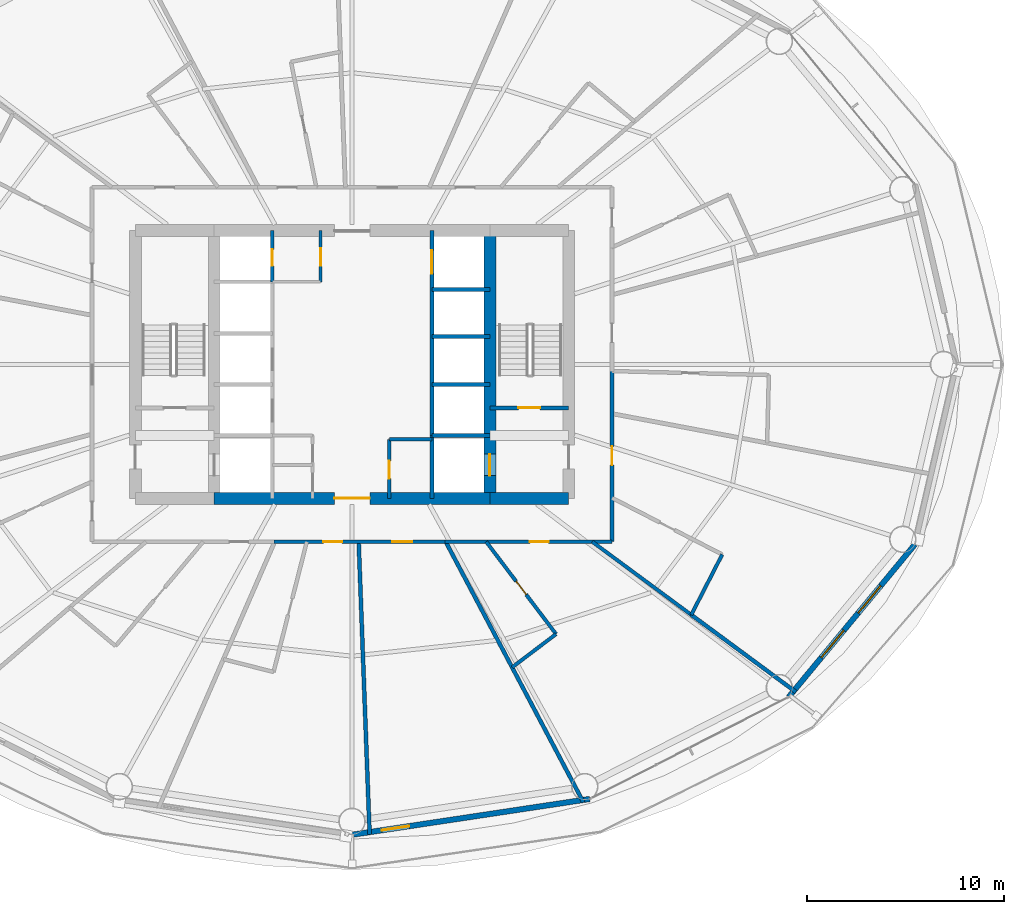
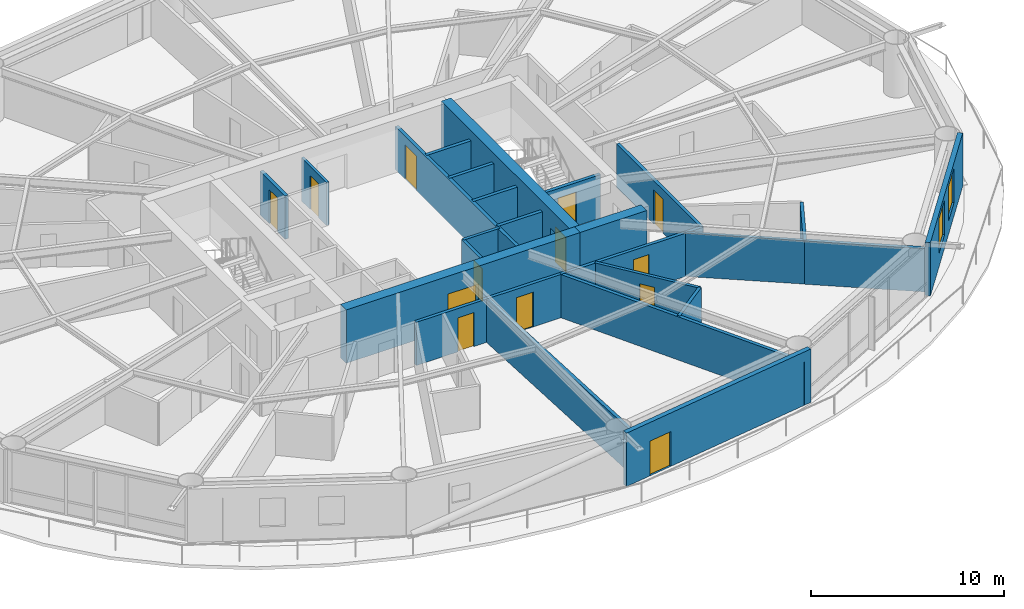
# One storey, part 21 of 26: 26 walls, 13 doors, 2 windows, 15 openings.
"""IFC4 building model written with IfcOpenShell, lengths in metres."""

import ifcopenshell
import ifcopenshell.guid

model = None  # the IFC model being written
_history = None  # IfcOwnerHistory: only IFC2X3 demands one
_inside = {}  # id of a spatial element -> (the spatial element, [elements in it])
_under = {}  # id of a project, library or spatial element -> (it, [spatial elements below it])
_declared = {}  # id of a project -> (the project, [libraries it declares])
_typed = {}  # id of a type object -> (the type object, [elements of that type])
_made_of = {}  # id of a material, layer set ... -> (it, [elements and type objects made of it])


def new_model(schema):
    """Start an empty IFC model of exactly this schema.

    Asked for "IFC4X3", IfcOpenShell would pick the latest addendum, in which some entities
    have other attributes; the version numbers below select the first issue.
    IFC2X3 requires an IfcOwnerHistory on every rooted entity: one is made here for all.
    """
    global model, _history
    if schema == "IFC4X3":
        model = ifcopenshell.file(schema_version=(4, 3, 0, 0))
    else:
        model = ifcopenshell.file(schema=schema)
    _inside.clear()
    _under.clear()
    _declared.clear()
    _typed.clear()
    _made_of.clear()
    _history = None
    if model.schema == "IFC2X3":
        org = make("IfcOrganization", Name="unknown")
        user = make(
            "IfcPersonAndOrganization",
            ThePerson=make("IfcPerson", FamilyName="unknown"),
            TheOrganization=org,
        )
        app = make(
            "IfcApplication",
            ApplicationDeveloper=org,
            Version="unknown",
            ApplicationFullName="unknown",
            ApplicationIdentifier="unknown",
        )
        _history = make(
            "IfcOwnerHistory",
            OwningUser=user,
            OwningApplication=app,
            ChangeAction="ADDED",
            CreationDate=0,
        )
    return model


def make(cls, **values):
    """One entity of the class cls with the attributes given. An attribute that is None is left unset."""
    return model.create_entity(
        cls, **{name: value for name, value in values.items() if value is not None}
    )


def rooted(cls, **values):
    """An entity with a GlobalId (a new one), such as an element, a storey or a relation."""
    return make(cls, GlobalId=ifcopenshell.guid.new(), OwnerHistory=_history, **values)


def si_unit(unit_type, name, prefix=None):
    """IfcSIUnit, for example si_unit("LENGTHUNIT", "METRE", prefix="MILLI")."""
    return make("IfcSIUnit", UnitType=unit_type, Prefix=prefix, Name=name)


def assignment(units):
    """IfcUnitAssignment: the units of a project."""
    return None if units is None else make("IfcUnitAssignment", Units=units)


def point(xyz):
    """IfcCartesianPoint."""
    return None if xyz is None else make("IfcCartesianPoint", Coordinates=xyz)


def direction(xyz):
    """IfcDirection."""
    return None if xyz is None else make("IfcDirection", DirectionRatios=xyz)


def frame(location, z_axis=None, x_axis=None):
    """IfcAxis2Placement3D, a coordinate frame: its origin and axes. An axis left out is left unset."""
    return make(
        "IfcAxis2Placement3D",
        Location=point(location),
        Axis=direction(z_axis),
        RefDirection=direction(x_axis),
    )


def frame_2d(location, x_axis=None):
    """IfcAxis2Placement2D, a coordinate frame in the plane: its origin and x axis."""
    return make(
        "IfcAxis2Placement2D", Location=point(location), RefDirection=direction(x_axis)
    )


def origin():
    """The frame at (0, 0, 0) with its axes left unset."""
    return frame((0.0, 0.0, 0.0))


def place(relative_to, where):
    """IfcLocalPlacement: puts the frame where relative to a parent placement (None: the world)."""
    return make(
        "IfcLocalPlacement", PlacementRelTo=relative_to, RelativePlacement=where
    )


def context(
    kind, dimensions, precision=None, world=None, true_north=None, identifier=None
):
    """IfcGeometricRepresentationContext, for example the 3D "Model" context."""
    return make(
        "IfcGeometricRepresentationContext",
        ContextIdentifier=identifier,
        ContextType=kind,
        CoordinateSpaceDimension=dimensions,
        Precision=precision,
        WorldCoordinateSystem=world,
        TrueNorth=true_north,
    )


def subcontext(parent, identifier, kind, view, scale=None):
    """IfcGeometricRepresentationSubContext, for example "Body" below "Model"."""
    return make(
        "IfcGeometricRepresentationSubContext",
        ContextIdentifier=identifier,
        ContextType=kind,
        ParentContext=parent,
        TargetScale=scale,
        TargetView=view,
    )


def project(units=None, contexts=None):
    """IfcProject with its units and contexts."""
    return rooted(
        "IfcProject",
        Name="project",
        RepresentationContexts=contexts,
        UnitsInContext=assignment(units),
    )


def spatial(cls, under=None, at=None, **own):
    """A site, building, storey or space (cls), placed at a placement, below another one or the project."""
    s = rooted(cls, ObjectPlacement=at, **own)
    if under is not None:
        _under.setdefault(under.id(), (under, []))[1].append(s)
    return s


def profile(cls, at=None, kind="AREA", **sizes):
    """A parametric profile (cls). Its sizes go by their IFC names, for example OverallWidth=200.0."""
    return make(cls, ProfileType=kind, Position=at, **sizes)


def rectangle(**sizes):
    """IfcRectangleProfileDef."""
    return profile("IfcRectangleProfileDef", **sizes)


def extrude(swept, where, along, depth):
    """IfcExtrudedAreaSolid: the profile swept, set in the frame where, extruded along a direction by depth."""
    return make(
        "IfcExtrudedAreaSolid",
        SweptArea=swept,
        Position=where,
        ExtrudedDirection=direction(along),
        Depth=depth,
    )


def shape(context_of_items, identifier, shape_type, items):
    """IfcShapeRepresentation: the items that make up one representation, for example the "Body"."""
    return make(
        "IfcShapeRepresentation",
        ContextOfItems=context_of_items,
        RepresentationIdentifier=identifier,
        RepresentationType=shape_type,
        Items=items,
    )


def material(Name=None, Category=None):
    """IfcMaterial."""
    return make("IfcMaterial", Name=Name, Category=Category)


def layer(
    of_material, thickness, ventilated=None, Name=None, Category=None, Priority=None
):
    """IfcMaterialLayer: one layer of a wall or slab, of a material (None: an air gap)."""
    return make(
        "IfcMaterialLayer",
        Material=of_material,
        LayerThickness=thickness,
        IsVentilated=ventilated,
        Name=Name,
        Category=Category,
        Priority=Priority,
    )


def layer_set(layers, Name=None):
    """IfcMaterialLayerSet."""
    return make("IfcMaterialLayerSet", MaterialLayers=layers, LayerSetName=Name)


def made_of(thing, what):
    """Note that an element or type object is made of a material, layer set ...; save() writes the relation."""
    if what is not None:
        _made_of.setdefault(what.id(), (what, []))[1].append(thing)
    return thing


def type_object(cls, material=None, **own):
    """A type object (cls), such as IfcWallType, which elements share."""
    return made_of(rooted(cls, **own), material)


def element(
    cls,
    number,
    at=None,
    inside=None,
    cuts=None,
    type_object=None,
    material=None,
    context=None,
    identifier="Body",
    shape_type=None,
    held_by="IfcProductDefinitionShape",
    body=None,
    shapes=None,
    **own,
):
    """One element of the class cls, such as IfcWall. Its Tag is "e" and its number.

    at: its placement. inside: the storey or other place that contains it. cuts: it is an
    opening in that element (IfcRelVoidsElement). A single representation is given by context,
    identifier, shape_type and body (its items); several are given by shapes. held_by: the class
    of the entity that holds the representations. save() writes the other relations.
    """
    e = rooted(cls, Tag="e%d" % number, ObjectPlacement=at, **own)
    if body is not None:
        shapes = [shape(context, identifier, shape_type, body)]
    if shapes is not None:
        e.Representation = make(held_by, Representations=shapes)
    if inside is not None:
        _inside.setdefault(inside.id(), (inside, []))[1].append(e)
    if cuts is not None:
        rooted(
            "IfcRelVoidsElement", RelatingBuildingElement=cuts, RelatedOpeningElement=e
        )
    if type_object is not None:
        _typed.setdefault(type_object.id(), (type_object, []))[1].append(e)
    return made_of(e, material)


def fill(opening, filler):
    """IfcRelFillsElement: the door or window that sits in an opening."""
    return rooted(
        "IfcRelFillsElement",
        RelatingOpeningElement=opening,
        RelatedBuildingElement=filler,
    )


def aggregate(whole, parts):
    """IfcRelAggregates: a whole, such as a stair, and the parts it consists of."""
    return rooted("IfcRelAggregates", RelatingObject=whole, RelatedObjects=parts)


def save(model, path):
    """Write the relations noted so far, then the file.

    IfcRelAggregates (storeys below a building ...), IfcRelContainedInSpatialStructure (elements
    in a storey), IfcRelDefinesByType, IfcRelAssociatesMaterial and IfcRelDeclares: one each for
    every whole, place, type object, material and project.
    """
    for whole, parts in _under.values():
        aggregate(whole, parts)
    for where, things in _inside.values():
        rooted(
            "IfcRelContainedInSpatialStructure",
            RelatedElements=things,
            RelatingStructure=where,
        )
    for kind, things in _typed.values():
        rooted("IfcRelDefinesByType", RelatedObjects=things, RelatingType=kind)
    for what, things in _made_of.values():
        rooted("IfcRelAssociatesMaterial", RelatedObjects=things, RelatingMaterial=what)
    for by, libraries in _declared.values():
        rooted("IfcRelDeclares", RelatingContext=by, RelatedDefinitions=libraries)
    model.write(path)


model = new_model("IFC4")

# Units and contexts
model_context = context("Model", 3, precision=1e-05, world=origin(), true_north=direction((0.0, 1.0)))
body_context = subcontext(model_context, "Body", "Model", "MODEL_VIEW")
ifc_project = project(units=[si_unit("LENGTHUNIT", "METRE"), si_unit("AREAUNIT", "SQUARE_METRE"), si_unit("VOLUMEUNIT", "CUBIC_METRE"), si_unit("PLANEANGLEUNIT", "RADIAN"), si_unit("MASSUNIT", "GRAM", prefix="KILO")], contexts=[model_context])

# Site, building, storey
site_placement = place(None, origin())
site = spatial("IfcSite", under=ifc_project, at=site_placement, CompositionType="ELEMENT")
building_placement = place(site_placement, origin())
building = spatial("IfcBuilding", under=site, at=building_placement, Name="Sarneth Arch Tower", CompositionType="ELEMENT")
storey_placement = place(building_placement, frame((0.0, 0.0, 46.199951171875)))
storey = spatial("IfcBuildingStorey", under=building, at=storey_placement, Name="L10", CompositionType="ELEMENT", Elevation=46.199951171875)

# Wall, opening, door
ifc_material_1 = material(Name="Concrete C60/75", Category="concrete")
ifc_layer_1 = layer(ifc_material_1, 0.60009765625)
ifc_layer_set_1 = layer_set([ifc_layer_1], Name="Concrete C60/75")
wall_type_1 = type_object("IfcWallType", Name="WALL-CORE-600", PredefinedType="SHEAR", material=ifc_layer_set_1)
wall_1_placement = place(storey_placement, frame((41.0, 35.199951171875, 0.0), z_axis=(0.0, 0.0, 1.0), x_axis=(1.0, 0.0, 0.0)))
wall_1 = element("IfcWall", 1, at=wall_1_placement, inside=storey, type_object=wall_type_1, Name="L10 Core shear wall S-M", PredefinedType="SHEAR", context=body_context, shape_type="SweptSolid", body=[
    extrude(rectangle(XDim=14.0, YDim=0.60009765625, at=frame_2d((7.0, 0.0))), origin(), (0.0, 0.0, 1.0), 3.380126953125),
])
opening_1_placement = place(wall_1_placement, frame((6.10009765625, 0.0, 0.0)))
opening_1 = element("IfcOpeningElement", 2, at=opening_1_placement, cuts=wall_1, Name="Opening FD-01", PredefinedType="OPENING", context=body_context, shape_type="SweptSolid", body=[
    extrude(rectangle(XDim=1.800048828125, YDim=2.25, at=frame_2d((0.89990234375, 1.125))), frame((0.0, 0.31005859375, 0.0), z_axis=(0.0, -1.0, 0.0), x_axis=(1.0, 0.0, 0.0)), (0.0, 0.0, 1.0), 0.6201171875),
])
ifc_material_2 = material(Name="Galvanised Steel S275 fire door set", Category="steel")
door_type_1 = type_object("IfcDoorType", Name="DR-FD90-1800", OperationType="DOUBLE_DOOR_SINGLE_SWING", PredefinedType="DOOR", material=ifc_material_2)
door_1_placement = place(opening_1_placement, origin())
door_1 = element("IfcDoor", 3, at=door_1_placement, inside=storey, type_object=door_type_1, Name="L10 Central lift lobby south door", OperationType="DOUBLE_DOOR_SINGLE_SWING", OverallHeight=2.25, OverallWidth=1.800048828125, PredefinedType="DOOR", context=body_context, shape_type="SweptSolid", body=[
    extrude(rectangle(XDim=1.800048828125, YDim=2.25, at=frame_2d((0.89990234375, 1.125))), frame((0.0, 0.02490234375, 0.0), z_axis=(0.0, -1.0, 0.0), x_axis=(1.0, 0.0, 0.0)), (0.0, 0.0, 1.0), 0.050048828125),
])
fill(opening_1, door_1)

# Wall
wall_2_placement = place(storey_placement, frame((55.0, 35.199951171875, 0.0), z_axis=(0.0, 0.0, 1.0), x_axis=(1.0, 0.0, 0.0)))
element("IfcWall", 4, at=wall_2_placement, inside=storey, type_object=wall_type_1, Name="L10 Core shear wall S-E", PredefinedType="SHEAR", context=body_context, shape_type="SweptSolid", body=[
    extrude(rectangle(XDim=4.0, YDim=0.60009765625, at=frame_2d((2.0, 0.0))), origin(), (0.0, 0.0, 1.0), 3.380126953125),
])

# Wall, opening, door
wall_3_placement = place(storey_placement, frame((55.0, 35.199951171875, 0.0), z_axis=(0.0, 0.0, 1.0), x_axis=(0.0, 1.0, 0.0)))
wall_3 = element("IfcWall", 5, at=wall_3_placement, inside=storey, type_object=wall_type_1, Name="L10 Core shear wall WEB-E", PredefinedType="SHEAR", context=body_context, shape_type="SweptSolid", body=[
    extrude(rectangle(XDim=13.60009765625, YDim=0.60009765625, at=frame_2d((6.800048828125, 0.0))), origin(), (0.0, 0.0, 1.0), 3.380126953125),
])
opening_2_placement = place(wall_3_placement, frame((1.14990234375, 0.0, 0.0)))
opening_2 = element("IfcOpeningElement", 6, at=opening_2_placement, cuts=wall_3, Name="Opening LD-1", PredefinedType="OPENING", context=body_context, shape_type="SweptSolid", body=[
    extrude(rectangle(XDim=1.10009765625, YDim=2.199951171875, at=frame_2d((0.550048828125, 1.10009765625))), frame((0.0, 0.31005859375, 0.0), z_axis=(0.0, -1.0, 0.0), x_axis=(1.0, 0.0, 0.0)), (0.0, 0.0, 1.0), 0.6201171875),
])
ifc_material_3 = material(Name="Brushed Stainless Steel 304 lift landing door", Category="steel")
door_type_2 = type_object("IfcDoorType", Name="DR-LIFT-SLIDE-1100", OperationType="SLIDING_TO_LEFT", PredefinedType="DOOR", material=ifc_material_3)
door_2_placement = place(opening_2_placement, origin())
door_2 = element("IfcDoor", 7, at=door_2_placement, inside=storey, type_object=door_type_2, Name="L10 Firefighting lift landing door FL-2", OperationType="SLIDING_TO_RIGHT", OverallHeight=2.199951171875, OverallWidth=1.10009765625, PredefinedType="DOOR", context=body_context, shape_type="SweptSolid", body=[
    extrude(rectangle(XDim=1.10009765625, YDim=2.199951171875, at=frame_2d((0.550048828125, 1.10009765625))), frame((0.0, 0.02490234375, 0.0), z_axis=(0.0, -1.0, 0.0), x_axis=(1.0, 0.0, 0.0)), (0.0, 0.0, 1.0), 0.050048828125),
])
fill(opening_2, door_2)

ifc_material_4 = material(Name="Double steel-stud corridor fire wall", Category="steel")
ifc_layer_2 = layer(ifc_material_4, 0.18994140625)
ifc_layer_set_2 = layer_set([ifc_layer_2], Name="Double steel-stud corridor fire wall")
wall_type_2 = type_object("IfcWallType", Name="WALL-CORR-190", PredefinedType="PARTITIONING", material=ifc_layer_set_2)
wall_4_placement = place(storey_placement, frame((61.199951171875, 33.0, 0.0), z_axis=(0.0, 0.0, 1.0), x_axis=(-1.0, 0.0, 0.0)))
wall_4 = element("IfcWall", 8, at=wall_4_placement, inside=storey, type_object=wall_type_2, Name="L10 Interior partition W-L10-TP-023", PredefinedType="PARTITIONING", context=body_context, shape_type="SweptSolid", body=[
    extrude(rectangle(XDim=8.4794921875, YDim=0.18994140625, at=frame_2d((4.23974609375, 0.0))), origin(), (0.0, 0.0, 1.0), 2.739990234375),
])
opening_3_placement = place(wall_4_placement, frame((3.2158203125, 0.0, 0.0)))
opening_3 = element("IfcOpeningElement", 9, at=opening_3_placement, cuts=wall_4, Name="Opening FD-09", PredefinedType="OPENING", context=body_context, shape_type="SweptSolid", body=[
    extrude(rectangle(XDim=0.949951171875, YDim=2.14990234375, at=frame_2d((0.47509765625, 1.074951171875))), frame((0.0, 0.10498046875, 0.0), z_axis=(0.0, -1.0, 0.0), x_axis=(1.0, 0.0, 0.0)), (0.0, 0.0, 1.0), 0.2099609375),
])
ifc_material_5 = material(Name="Hardwood timber hotel entrance fire door", Category="wood")
door_type_3 = type_object("IfcDoorType", Name="DR-FD60-950", OperationType="SINGLE_SWING_RIGHT", PredefinedType="DOOR", material=ifc_material_5)
door_3_placement = place(opening_3_placement, origin())
door_3 = element("IfcDoor", 10, at=door_3_placement, inside=storey, type_object=door_type_3, Name="L10 Interior door DR-L10-KEY-12", OperationType="SINGLE_SWING_LEFT", OverallHeight=2.14990234375, OverallWidth=0.949951171875, PredefinedType="DOOR", context=body_context, shape_type="SweptSolid", body=[
    extrude(rectangle(XDim=0.949951171875, YDim=2.14990234375, at=frame_2d((0.47509765625, 1.074951171875))), frame((0.0, 0.02490234375, 0.0), z_axis=(0.0, -1.0, 0.0), x_axis=(1.0, 0.0, 0.0)), (0.0, 0.0, 1.0), 0.050048828125),
])
fill(opening_3, door_3)

# Wall, openings, doors
wall_5_placement = place(storey_placement, frame((52.792724609375, 33.0, 0.0), z_axis=(0.0, 0.0, 1.0), x_axis=(-1.0, 0.0, 0.0)))
wall_5 = element("IfcWall", 11, at=wall_5_placement, inside=storey, type_object=wall_type_2, Name="L10 Interior partition W-L10-TP-022", PredefinedType="PARTITIONING", context=body_context, shape_type="SweptSolid", body=[
    extrude(rectangle(XDim=8.75439453125, YDim=0.18994140625, at=frame_2d((4.377197265625, 0.0))), origin(), (0.0, 0.0, 1.0), 2.739990234375),
])
opening_4_placement = place(wall_5_placement, frame((1.743896484375, 0.0, 0.0)))
opening_4 = element("IfcOpeningElement", 12, at=opening_4_placement, cuts=wall_5, Name="Opening FD-08", PredefinedType="OPENING", context=body_context, shape_type="SweptSolid", body=[
    extrude(rectangle(XDim=1.0, YDim=2.199951171875, at=frame_2d((0.5, 1.10009765625))), frame((0.0, 0.10498046875, 0.0), z_axis=(0.0, -1.0, 0.0), x_axis=(1.0, 0.0, 0.0)), (0.0, 0.0, 1.0), 0.2099609375),
])
opening_5_placement = place(wall_5_placement, frame((5.298095703125, 0.0, 0.0)))
opening_5 = element("IfcOpeningElement", 13, at=opening_5_placement, cuts=wall_5, Name="Opening FD-09", PredefinedType="OPENING", context=body_context, shape_type="SweptSolid", body=[
    extrude(rectangle(XDim=0.949951171875, YDim=2.14990234375, at=frame_2d((0.47509765625, 1.074951171875))), frame((0.0, 0.10498046875, 0.0), z_axis=(0.0, -1.0, 0.0), x_axis=(1.0, 0.0, 0.0)), (0.0, 0.0, 1.0), 0.2099609375),
])
ifc_material_6 = material(Name="Hardwood timber acoustic fire door", Category="wood")
door_type_4 = type_object("IfcDoorType", Name="DR-FD60-1000", OperationType="SINGLE_SWING_LEFT", PredefinedType="DOOR", material=ifc_material_6)
door_4_placement = place(opening_4_placement, origin())
door_4 = element("IfcDoor", 14, at=door_4_placement, inside=storey, type_object=door_type_4, Name="L10 Interior door DR-L10-AMN-11", OperationType="SINGLE_SWING_RIGHT", OverallHeight=2.199951171875, OverallWidth=1.0, PredefinedType="DOOR", context=body_context, shape_type="SweptSolid", body=[
    extrude(rectangle(XDim=1.0, YDim=2.199951171875, at=frame_2d((0.5, 1.10009765625))), frame((0.0, 0.02490234375, 0.0), z_axis=(0.0, -1.0, 0.0), x_axis=(1.0, 0.0, 0.0)), (0.0, 0.0, 1.0), 0.050048828125),
])
fill(opening_4, door_4)
door_5_placement = place(opening_5_placement, origin())
door_5 = element("IfcDoor", 15, at=door_5_placement, inside=storey, type_object=door_type_3, Name="L10 Interior door DR-L10-KEY-10", OperationType="SINGLE_SWING_RIGHT", OverallHeight=2.14990234375, OverallWidth=0.949951171875, PredefinedType="DOOR", context=body_context, shape_type="SweptSolid", body=[
    extrude(rectangle(XDim=0.949951171875, YDim=2.14990234375, at=frame_2d((0.47509765625, 1.074951171875))), frame((0.0, 0.02490234375, 0.0), z_axis=(0.0, -1.0, 0.0), x_axis=(1.0, 0.0, 0.0)), (0.0, 0.0, 1.0), 0.050048828125),
])
fill(opening_5, door_5)

# Wall, opening, door
wall_6_placement = place(storey_placement, frame((61.199951171875, 41.6962890625, 0.0), z_axis=(0.0, 0.0, 1.0), x_axis=(0.0, -1.0, 0.0)))
wall_6 = element("IfcWall", 16, at=wall_6_placement, inside=storey, type_object=wall_type_2, Name="L10 Interior partition W-L10-TP-025", PredefinedType="PARTITIONING", context=body_context, shape_type="SweptSolid", body=[
    extrude(rectangle(XDim=8.6962890625, YDim=0.18994140625, at=frame_2d((4.34814453125, 0.0))), origin(), (0.0, 0.0, 1.0), 2.739990234375),
])
opening_6_placement = place(wall_6_placement, frame((3.859619140625, 0.0, 0.0)))
opening_6 = element("IfcOpeningElement", 17, at=opening_6_placement, cuts=wall_6, Name="Opening FD-09", PredefinedType="OPENING", context=body_context, shape_type="SweptSolid", body=[
    extrude(rectangle(XDim=0.949951171875, YDim=2.14990234375, at=frame_2d((0.47509765625, 1.074951171875))), frame((0.0, 0.10498046875, 0.0), z_axis=(0.0, -1.0, 0.0), x_axis=(1.0, 0.0, 0.0)), (0.0, 0.0, 1.0), 0.2099609375),
])
door_6_placement = place(opening_6_placement, origin())
door_6 = element("IfcDoor", 18, at=door_6_placement, inside=storey, type_object=door_type_3, Name="L10 Interior door DR-L10-KEY-13", OperationType="SINGLE_SWING_LEFT", OverallHeight=2.14990234375, OverallWidth=0.949951171875, PredefinedType="DOOR", context=body_context, shape_type="SweptSolid", body=[
    extrude(rectangle(XDim=0.949951171875, YDim=2.14990234375, at=frame_2d((0.47509765625, 1.074951171875))), frame((0.0, 0.02490234375, 0.0), z_axis=(0.0, -1.0, 0.0), x_axis=(1.0, 0.0, 0.0)), (0.0, 0.0, 1.0), 0.050048828125),
])
fill(opening_6, door_6)

ifc_material_7 = material(Name="Extruded terracotta rainscreen on Concrete C40/50 backing", Category="masonry")
ifc_layer_3 = layer(ifc_material_7, 0.280029296875)
ifc_layer_set_3 = layer_set([ifc_layer_3], Name="Extruded terracotta rainscreen on Concrete C40/50 backing")
wall_type_3 = type_object("IfcWallType", Name="WALL-EXT-TERRA-280", PredefinedType="SOLIDWALL", material=ifc_layer_set_3)
wall_7_placement = place(storey_placement, frame((48.0, 18.1201171875, 0.0), z_axis=(0.0, 0.0, 1.0), x_axis=(0.988864835849, 0.148816452121, 0.0)))
wall_7 = element("IfcWall", 19, at=wall_7_placement, inside=storey, type_object=wall_type_3, Name="L10 Terracotta perimeter wall 13", PredefinedType="SOLIDWALL", context=body_context, shape_type="SweptSolid", body=[
    extrude(rectangle(XDim=12.2138671875, YDim=0.280029296875, at=frame_2d((6.10693359375, 0.0))), origin(), (0.0, 0.0, 1.0), 3.380126953125),
])
opening_7_placement = place(wall_7_placement, frame((1.53125, 0.0, 0.0)))
opening_7 = element("IfcOpeningElement", 20, at=opening_7_placement, cuts=wall_7, Name="Opening BD-2", PredefinedType="OPENING", context=body_context, shape_type="SweptSolid", body=[
    extrude(rectangle(XDim=1.39990234375, YDim=2.199951171875, at=frame_2d((0.699951171875, 1.10009765625))), frame((0.0, 0.14990234375, 0.0), z_axis=(0.0, -1.0, 0.0), x_axis=(1.0, 0.0, 0.0)), (0.0, 0.0, 1.0), 0.300048828125),
])
ifc_material_8 = material(Name="Thermally broken Aluminium 6063-T6 and laminated safety glass", Category="aluminium")
door_type_5 = type_object("IfcDoorType", Name="DR-BALC-GLZ-1400", OperationType="SINGLE_SWING_LEFT", PredefinedType="DOOR", material=ifc_material_8)
door_7_placement = place(opening_7_placement, origin())
door_7 = element("IfcDoor", 21, at=door_7_placement, inside=storey, type_object=door_type_5, Name="L10 Balcony glazed door 13", OperationType="SINGLE_SWING_LEFT", OverallHeight=2.199951171875, OverallWidth=1.39990234375, PredefinedType="DOOR", context=body_context, shape_type="SweptSolid", body=[
    extrude(rectangle(XDim=1.39990234375, YDim=2.199951171875, at=frame_2d((0.699951171875, 1.10009765625))), frame((0.0, 0.02490234375, 0.0), z_axis=(0.0, -1.0, 0.0), x_axis=(1.0, 0.0, 0.0)), (0.0, 0.0, 1.0), 0.050048828125),
])
fill(opening_7, door_7)

# Wall, openings, windows
wall_8_placement = place(storey_placement, frame((70.174072265625, 25.1142578125, 0.0), z_axis=(0.0, 0.0, 1.0), x_axis=(0.637296809613, 0.770618437657, 0.0)))
wall_8 = element("IfcWall", 22, at=wall_8_placement, inside=storey, type_object=wall_type_3, Name="L10 Terracotta perimeter wall 15", PredefinedType="SOLIDWALL", context=body_context, shape_type="SweptSolid", body=[
    extrude(rectangle(XDim=10.053466796875, YDim=0.280029296875, at=frame_2d((5.02685546875, 0.0))), origin(), (0.0, 0.0, 1.0), 3.380126953125),
])
opening_8_placement = place(wall_8_placement, frame((2.597900390625, 0.0, 0.85009765625)))
opening_8 = element("IfcOpeningElement", 23, at=opening_8_placement, cuts=wall_8, Name="Opening W-04", PredefinedType="OPENING", context=body_context, shape_type="SweptSolid", body=[
    extrude(rectangle(XDim=1.800048828125, YDim=2.199951171875, at=frame_2d((0.89990234375, 1.10009765625))), frame((0.0, 0.14990234375, 0.0), z_axis=(0.0, -1.0, 0.0), x_axis=(1.0, 0.0, 0.0)), (0.0, 0.0, 1.0), 0.300048828125),
])
opening_9_placement = place(wall_8_placement, frame((5.52978515625, 0.0, 0.85009765625)))
opening_9 = element("IfcOpeningElement", 24, at=opening_9_placement, cuts=wall_8, Name="Opening W-04", PredefinedType="OPENING", context=body_context, shape_type="SweptSolid", body=[
    extrude(rectangle(XDim=1.800048828125, YDim=2.199951171875, at=frame_2d((0.89990234375, 1.10009765625))), frame((0.0, 0.14990234375, 0.0), z_axis=(0.0, -1.0, 0.0), x_axis=(1.0, 0.0, 0.0)), (0.0, 0.0, 1.0), 0.300048828125),
])
ifc_material_9 = material(Name="Thermally broken Aluminium 6063-T6 and low-e laminated IGU", Category="aluminium")
window_type = type_object("IfcWindowType", Name="WIN-TWR-1800x2200", PartitioningType="DOUBLE_PANEL_VERTICAL", PredefinedType="WINDOW", material=ifc_material_9)
window_1_placement = place(opening_8_placement, origin())
window_1 = element("IfcWindow", 25, at=window_1_placement, inside=storey, type_object=window_type, Name="L10 Exterior window 15A", OverallHeight=2.199951171875, OverallWidth=1.800048828125, PartitioningType="SINGLE_PANEL", PredefinedType="WINDOW", context=body_context, shape_type="SweptSolid", body=[
    extrude(rectangle(XDim=1.800048828125, YDim=2.199951171875, at=frame_2d((0.89990234375, 1.10009765625))), frame((0.0, 0.030029296875, 0.0), z_axis=(0.0, -1.0, 0.0), x_axis=(1.0, 0.0, 0.0)), (0.0, 0.0, 1.0), 0.06005859375),
])
fill(opening_8, window_1)
window_2_placement = place(opening_9_placement, origin())
window_2 = element("IfcWindow", 26, at=window_2_placement, inside=storey, type_object=window_type, Name="L10 Exterior window 15B", OverallHeight=2.199951171875, OverallWidth=1.800048828125, PartitioningType="SINGLE_PANEL", PredefinedType="WINDOW", context=body_context, shape_type="SweptSolid", body=[
    extrude(rectangle(XDim=1.800048828125, YDim=2.199951171875, at=frame_2d((0.89990234375, 1.10009765625))), frame((0.0, 0.030029296875, 0.0), z_axis=(0.0, -1.0, 0.0), x_axis=(1.0, 0.0, 0.0)), (0.0, 0.0, 1.0), 0.06005859375),
])
fill(opening_9, window_2)

# Wall, opening, door
ifc_material_10 = material(Name="Acoustic gypsum stud partition", Category="gypsum")
ifc_layer_4 = layer(ifc_material_10, 0.14990234375)
ifc_layer_set_4 = layer_set([ifc_layer_4], Name="Acoustic gypsum stud partition")
wall_type_4 = type_object("IfcWallType", Name="WALL-PART-150", PredefinedType="PARTITIONING", material=ifc_layer_set_4)
wall_9_placement = place(storey_placement, frame((46.39990234375, 46.199951171875, 0.0), z_axis=(0.0, 0.0, 1.0), x_axis=(0.0, 1.0, 0.0)))
wall_9 = element("IfcWall", 27, at=wall_9_placement, inside=storey, type_object=wall_type_4, Name="L10 Interior partition W-L10-CSUP3-E", PredefinedType="PARTITIONING", context=body_context, shape_type="SweptSolid", body=[
    extrude(rectangle(XDim=2.60009765625, YDim=0.14990234375, at=frame_2d((1.300048828125, 0.0))), origin(), (0.0, 0.0, 1.0), 2.739990234375),
])
opening_10_placement = place(wall_9_placement, frame((0.800048828125, 0.0, 0.0)))
opening_10 = element("IfcOpeningElement", 28, at=opening_10_placement, cuts=wall_9, Name="Opening FD-10", PredefinedType="OPENING", context=body_context, shape_type="SweptSolid", body=[
    extrude(rectangle(XDim=0.89990234375, YDim=2.14990234375, at=frame_2d((0.449951171875, 1.074951171875))), frame((0.0, 0.0849609375, 0.0), z_axis=(0.0, -1.0, 0.0), x_axis=(1.0, 0.0, 0.0)), (0.0, 0.0, 1.0), 0.169921875),
])
ifc_material_11 = material(Name="Galvanised Steel S275 riser/service fire door", Category="steel")
door_type_6 = type_object("IfcDoorType", Name="DR-FD60-900", OperationType="SINGLE_SWING_LEFT", PredefinedType="DOOR", material=ifc_material_11)
door_8_placement = place(opening_10_placement, origin())
door_8 = element("IfcDoor", 29, at=door_8_placement, inside=storey, type_object=door_type_6, Name="L10 Interior door DR-L10-CSUP3", OperationType="SINGLE_SWING_LEFT", OverallHeight=2.14990234375, OverallWidth=0.89990234375, PredefinedType="DOOR", context=body_context, shape_type="SweptSolid", body=[
    extrude(rectangle(XDim=0.89990234375, YDim=2.14990234375, at=frame_2d((0.449951171875, 1.074951171875))), frame((0.0, 0.02490234375, 0.0), z_axis=(0.0, -1.0, 0.0), x_axis=(1.0, 0.0, 0.0)), (0.0, 0.0, 1.0), 0.050048828125),
])
fill(opening_10, door_8)

# Wall
ifc_material_12 = material(Name="Moisture-resistant plumbing chase wall", Category="gypsum")
ifc_layer_5 = layer(ifc_material_12, 0.179931640625)
ifc_layer_set_5 = layer_set([ifc_layer_5], Name="Moisture-resistant plumbing chase wall")
wall_type_5 = type_object("IfcWallType", Name="WALL-PLUMB-180", PredefinedType="PLUMBINGWALL", material=ifc_layer_set_5)
wall_10_placement = place(storey_placement, frame((49.89990234375, 38.199951171875, 0.0), z_axis=(0.0, 0.0, 1.0), x_axis=(1.0, 0.0, 0.0)))
element("IfcWall", 30, at=wall_10_placement, inside=storey, type_object=wall_type_5, Name="L10 Interior partition W-L10-AWC-N", PredefinedType="PLUMBINGWALL", context=body_context, shape_type="SweptSolid", body=[
    extrude(rectangle(XDim=2.150146484375, YDim=0.179931640625, at=frame_2d((1.0751953125, 0.0))), origin(), (0.0, 0.0, 1.0), 2.739990234375),
])

# Wall, opening, door
wall_11_placement = place(storey_placement, frame((49.89990234375, 35.199951171875, 0.0), z_axis=(0.0, 0.0, 1.0), x_axis=(0.0, 1.0, 0.0)))
wall_11 = element("IfcWall", 31, at=wall_11_placement, inside=storey, type_object=wall_type_5, Name="L10 Interior partition W-L10-AWC-W", PredefinedType="PLUMBINGWALL", context=body_context, shape_type="SweptSolid", body=[
    extrude(rectangle(XDim=3.0, YDim=0.179931640625, at=frame_2d((1.5, 0.0))), origin(), (0.0, 0.0, 1.0), 2.739990234375),
])
opening_11_placement = place(wall_11_placement, frame((1.0, 0.0, 0.0)))
opening_11 = element("IfcOpeningElement", 32, at=opening_11_placement, cuts=wall_11, Name="Opening ID-01", PredefinedType="OPENING", context=body_context, shape_type="SweptSolid", body=[
    extrude(rectangle(XDim=0.89990234375, YDim=2.10009765625, at=frame_2d((0.449951171875, 1.050048828125))), frame((0.0, 0.099853515625, 0.0), z_axis=(0.0, -1.0, 0.0), x_axis=(1.0, 0.0, 0.0)), (0.0, 0.0, 1.0), 0.199951171875),
])
ifc_material_13 = material(Name="Engineered hardwood flush door", Category="wood")
door_type_7 = type_object("IfcDoorType", Name="DR-INT-900", OperationType="SINGLE_SWING_LEFT", PredefinedType="DOOR", material=ifc_material_13)
door_9_placement = place(opening_11_placement, origin())
door_9 = element("IfcDoor", 33, at=door_9_placement, inside=storey, type_object=door_type_7, Name="L10 Interior door DR-L10-AWC", OperationType="SINGLE_SWING_RIGHT", OverallHeight=2.10009765625, OverallWidth=0.89990234375, PredefinedType="DOOR", context=body_context, shape_type="SweptSolid", body=[
    extrude(rectangle(XDim=0.89990234375, YDim=2.10009765625, at=frame_2d((0.449951171875, 1.050048828125))), frame((0.0, 0.02490234375, 0.0), z_axis=(0.0, -1.0, 0.0), x_axis=(1.0, 0.0, 0.0)), (0.0, 0.0, 1.0), 0.050048828125),
])
fill(opening_11, door_9)

# Wall
wall_12_placement = place(storey_placement, frame((65.22509765625, 29.287109375, 0.0), z_axis=(0.0, 0.0, 1.0), x_axis=(-0.804582519588, 0.593840861825, 0.0)))
element("IfcWall", 34, at=wall_12_placement, inside=storey, type_object=wall_type_5, Name="L10 Interior partition W-L10-TP-070", PredefinedType="PLUMBINGWALL", context=body_context, shape_type="SweptSolid", body=[
    extrude(rectangle(XDim=6.25244140625, YDim=0.179931640625, at=frame_2d((3.126220703125, 0.0))), origin(), (0.0, 0.0, 1.0), 2.739990234375),
])

# Wall, opening, door
wall_13_placement = place(storey_placement, frame((58.359619140625, 28.309326171875, 0.0), z_axis=(0.0, 0.0, 1.0), x_axis=(-0.603401299207, 0.797437691682, 0.0)))
wall_13 = element("IfcWall", 35, at=wall_13_placement, inside=storey, type_object=wall_type_5, Name="L10 Interior partition W-L10-TP-068", PredefinedType="PLUMBINGWALL", context=body_context, shape_type="SweptSolid", body=[
    extrude(rectangle(XDim=5.882080078125, YDim=0.179931640625, at=frame_2d((2.94091796875, 0.0))), origin(), (0.0, 0.0, 1.0), 2.739990234375),
])
opening_12_placement = place(wall_13_placement, frame((2.51611328125, 0.0, 0.0)))
opening_12 = element("IfcOpeningElement", 36, at=opening_12_placement, cuts=wall_13, Name="Opening ID-02", PredefinedType="OPENING", context=body_context, shape_type="SweptSolid", body=[
    extrude(rectangle(XDim=0.85009765625, YDim=2.10009765625, at=frame_2d((0.425048828125, 1.050048828125))), frame((0.0, 0.099853515625, 0.0), z_axis=(0.0, -1.0, 0.0), x_axis=(1.0, 0.0, 0.0)), (0.0, 0.0, 1.0), 0.199951171875),
])
ifc_material_14 = material(Name="Moisture-resistant bathroom timber door", Category="wood")
door_type_8 = type_object("IfcDoorType", Name="DR-INT-850", OperationType="SINGLE_SWING_RIGHT", PredefinedType="DOOR", material=ifc_material_14)
door_10_placement = place(opening_12_placement, origin())
door_10 = element("IfcDoor", 37, at=door_10_placement, inside=storey, type_object=door_type_8, Name="L10 Interior door DR-L10-ENS-12", OperationType="SINGLE_SWING_LEFT", OverallHeight=2.10009765625, OverallWidth=0.85009765625, PredefinedType="DOOR", context=body_context, shape_type="SweptSolid", body=[
    extrude(rectangle(XDim=0.85009765625, YDim=2.10009765625, at=frame_2d((0.425048828125, 1.050048828125))), frame((0.0, 0.02490234375, 0.0), z_axis=(0.0, -1.0, 0.0), x_axis=(1.0, 0.0, 0.0)), (0.0, 0.0, 1.0), 0.050048828125),
])
fill(opening_12, door_10)

# Walls
wall_14_placement = place(storey_placement, frame((66.7978515625, 32.35107421875, 0.0), z_axis=(0.0, 0.0, 1.0), x_axis=(-0.456659133546, -0.889641745732, 0.0)))
element("IfcWall", 38, at=wall_14_placement, inside=storey, type_object=wall_type_5, Name="L10 Interior partition W-L10-TP-072", PredefinedType="PLUMBINGWALL", context=body_context, shape_type="SweptSolid", body=[
    extrude(rectangle(XDim=3.444091796875, YDim=0.179931640625, at=frame_2d((1.72216796875, 0.0))), origin(), (0.0, 0.0, 1.0), 2.739990234375),
])
wall_15_placement = place(storey_placement, frame((56.128173828125, 26.620849609375, 0.0), z_axis=(0.0, 0.0, 1.0), x_axis=(0.797438154909, 0.603400687019, 0.0)))
element("IfcWall", 39, at=wall_15_placement, inside=storey, type_object=wall_type_5, Name="L10 Interior partition W-L10-TP-067", PredefinedType="PLUMBINGWALL", context=body_context, shape_type="SweptSolid", body=[
    extrude(rectangle(XDim=2.79833984375, YDim=0.179931640625, at=frame_2d((1.399169921875, 0.0))), origin(), (0.0, 0.0, 1.0), 2.739990234375),
])

# Wall, opening, door
ifc_material_15 = material(Name="Aerated concrete blockwork C25/30", Category="masonry")
ifc_layer_6 = layer(ifc_material_15, 0.199951171875)
ifc_layer_set_6 = layer_set([ifc_layer_6], Name="Aerated concrete blockwork C25/30")
wall_type_6 = type_object("IfcWallType", Name="WALL-SHAFT-200", PredefinedType="SOLIDWALL", material=ifc_layer_set_6)
wall_16_placement = place(storey_placement, frame((55.0, 39.800048828125, 0.0), z_axis=(0.0, 0.0, 1.0), x_axis=(1.0, 0.0, 0.0)))
wall_16 = element("IfcWall", 40, at=wall_16_placement, inside=storey, type_object=wall_type_6, Name="L10 Interior partition W-L10-ST2-S", PredefinedType="SOLIDWALL", context=body_context, shape_type="SweptSolid", body=[
    extrude(rectangle(XDim=4.0, YDim=0.199951171875, at=frame_2d((2.0, 0.0))), origin(), (0.0, 0.0, 1.0), 2.739990234375),
])
opening_13_placement = place(wall_16_placement, frame((1.449951171875, 0.0, 0.0)))
opening_13 = element("IfcOpeningElement", 41, at=opening_13_placement, cuts=wall_16, Name="Opening FD-03", PredefinedType="OPENING", context=body_context, shape_type="SweptSolid", body=[
    extrude(rectangle(XDim=1.10009765625, YDim=2.14990234375, at=frame_2d((0.550048828125, 1.074951171875))), frame((0.0, 0.10986328125, 0.0), z_axis=(0.0, -1.0, 0.0), x_axis=(1.0, 0.0, 0.0)), (0.0, 0.0, 1.0), 0.219970703125),
])
ifc_material_16 = material(Name="Galvanised Steel S275 fire door set", Category="steel")
door_type_9 = type_object("IfcDoorType", Name="DR-FD90-1100", OperationType="SINGLE_SWING_LEFT", PredefinedType="DOOR", material=ifc_material_16)
door_11_placement = place(opening_13_placement, origin())
door_11 = element("IfcDoor", 42, at=door_11_placement, inside=storey, type_object=door_type_9, Name="L10 Interior door DR-L10-ST2", OperationType="SINGLE_SWING_RIGHT", OverallHeight=2.14990234375, OverallWidth=1.10009765625, PredefinedType="DOOR", context=body_context, shape_type="SweptSolid", body=[
    extrude(rectangle(XDim=1.10009765625, YDim=2.14990234375, at=frame_2d((0.550048828125, 1.074951171875))), frame((0.0, 0.02490234375, 0.0), z_axis=(0.0, -1.0, 0.0), x_axis=(1.0, 0.0, 0.0)), (0.0, 0.0, 1.0), 0.050048828125),
])
fill(opening_13, door_11)

# Walls
wall_17_placement = place(storey_placement, frame((52.050048828125, 35.199951171875, 0.0), z_axis=(0.0, 0.0, 1.0), x_axis=(0.0, 1.0, 0.0)))
element("IfcWall", 43, at=wall_17_placement, inside=storey, type_object=wall_type_6, Name="L10 Interior partition W-L10-FL2-W", PredefinedType="SOLIDWALL", context=body_context, shape_type="SweptSolid", body=[
    extrude(rectangle(XDim=3.199951171875, YDim=0.199951171875, at=frame_2d((1.60009765625, 0.0))), origin(), (0.0, 0.0, 1.0), 2.739990234375),
])
wall_18_placement = place(storey_placement, frame((52.050048828125, 38.39990234375, 0.0), z_axis=(0.0, 0.0, 1.0), x_axis=(1.0, 0.0, 0.0)))
element("IfcWall", 44, at=wall_18_placement, inside=storey, type_object=wall_type_6, Name="L10 Interior partition W-L10-FL2-N", PredefinedType="SOLIDWALL", context=body_context, shape_type="SweptSolid", body=[
    extrude(rectangle(XDim=2.949951171875, YDim=0.199951171875, at=frame_2d((1.47509765625, 0.0))), origin(), (0.0, 0.0, 1.0), 2.739990234375),
])

# Wall, opening, door
wall_19_placement = place(storey_placement, frame((43.949951171875, 46.199951171875, 0.0), z_axis=(0.0, 0.0, 1.0), x_axis=(0.0, 1.0, 0.0)))
wall_19 = element("IfcWall", 45, at=wall_19_placement, inside=storey, type_object=wall_type_6, Name="L10 Interior partition W-L10-RISER-E", PredefinedType="SOLIDWALL", context=body_context, shape_type="SweptSolid", body=[
    extrude(rectangle(XDim=2.60009765625, YDim=0.199951171875, at=frame_2d((1.300048828125, 0.0))), origin(), (0.0, 0.0, 1.0), 2.739990234375),
])
opening_14_placement = place(wall_19_placement, frame((0.800048828125, 0.0, 0.0)))
opening_14 = element("IfcOpeningElement", 46, at=opening_14_placement, cuts=wall_19, Name="Opening FD-11", PredefinedType="OPENING", context=body_context, shape_type="SweptSolid", body=[
    extrude(rectangle(XDim=0.85009765625, YDim=2.14990234375, at=frame_2d((0.425048828125, 1.074951171875))), frame((0.0, 0.10986328125, 0.0), z_axis=(0.0, -1.0, 0.0), x_axis=(1.0, 0.0, 0.0)), (0.0, 0.0, 1.0), 0.219970703125),
])
ifc_material_17 = material(Name="Galvanised Steel S275 closet fire door", Category="steel")
door_type_10 = type_object("IfcDoorType", Name="DR-FD60-850", OperationType="SINGLE_SWING_LEFT", PredefinedType="DOOR", material=ifc_material_17)
door_12_placement = place(opening_14_placement, origin())
door_12 = element("IfcDoor", 47, at=door_12_placement, inside=storey, type_object=door_type_10, Name="L10 Lift landing door DR-L10-RISER", OperationType="SINGLE_SWING_LEFT", OverallHeight=2.14990234375, OverallWidth=0.85009765625, PredefinedType="DOOR", context=body_context, shape_type="SweptSolid", body=[
    extrude(rectangle(XDim=0.85009765625, YDim=2.14990234375, at=frame_2d((0.425048828125, 1.074951171875))), frame((0.0, 0.02490234375, 0.0), z_axis=(0.0, -1.0, 0.0), x_axis=(1.0, 0.0, 0.0)), (0.0, 0.0, 1.0), 0.050048828125),
])
fill(opening_14, door_12)

wall_20_placement = place(storey_placement, frame((52.050048828125, 38.39990234375, 0.0), z_axis=(0.0, 0.0, 1.0), x_axis=(0.0, 1.0, 0.0)))
wall_20 = element("IfcWall", 48, at=wall_20_placement, inside=storey, type_object=wall_type_6, Name="L10 Interior partition W-L10-EASTBANK-FRONT", PredefinedType="SOLIDWALL", context=body_context, shape_type="SweptSolid", body=[
    extrude(rectangle(XDim=10.400146484375, YDim=0.199951171875, at=frame_2d((5.2001953125, 0.0))), origin(), (0.0, 0.0, 1.0), 2.739990234375),
])
opening_15_placement = place(wall_20_placement, frame((8.199951171875, 0.0, 0.0)))
opening_15 = element("IfcOpeningElement", 49, at=opening_15_placement, cuts=wall_20, Name="Opening LD-2", PredefinedType="OPENING", context=body_context, shape_type="SweptSolid", body=[
    extrude(rectangle(XDim=1.199951171875, YDim=2.199951171875, at=frame_2d((0.60009765625, 1.10009765625))), frame((0.0, 0.10986328125, 0.0), z_axis=(0.0, -1.0, 0.0), x_axis=(1.0, 0.0, 0.0)), (0.0, 0.0, 1.0), 0.219970703125),
])
ifc_material_18 = material(Name="Brushed Stainless Steel 304 service lift door", Category="steel")
door_type_11 = type_object("IfcDoorType", Name="DR-LIFT-SLIDE-1200", OperationType="SLIDING_TO_RIGHT", PredefinedType="DOOR", material=ifc_material_18)
door_13_placement = place(opening_15_placement, origin())
door_13 = element("IfcDoor", 50, at=door_13_placement, inside=storey, type_object=door_type_11, Name="L10 Lift landing door DR-L10-LD-SL1", OperationType="SLIDING_TO_RIGHT", OverallHeight=2.199951171875, OverallWidth=1.199951171875, PredefinedType="DOOR", context=body_context, shape_type="SweptSolid", body=[
    extrude(rectangle(XDim=1.199951171875, YDim=2.199951171875, at=frame_2d((0.60009765625, 1.10009765625))), frame((0.0, 0.02490234375, 0.0), z_axis=(0.0, -1.0, 0.0), x_axis=(1.0, 0.0, 0.0)), (0.0, 0.0, 1.0), 0.050048828125),
])
fill(opening_15, door_13)

# Walls
for number, where, z_axis, x_axis, name in (
    (51, (52.050048828125, 40.97998046875, 0.0), (0.0, 0.0, 1.0), (1.0, 0.0, 0.0), "L10 Interior partition W-L10-EB-DIV-4098"),
    (52, (52.050048828125, 43.419921875, 0.0), (0.0, 0.0, 1.0), (1.0, 0.0, 0.0), "L10 Interior partition W-L10-EB-DIV-4342"),
    (53, (52.050048828125, 45.800048828125, 0.0), (0.0, 0.0, 1.0), (1.0, 0.0, 0.0), "L10 Interior partition W-L10-EB-DIV-4580"),
):
    element("IfcWall", number, at=place(storey_placement, frame(where, z_axis=z_axis, x_axis=x_axis)), inside=storey, type_object=wall_type_6, Name=name, PredefinedType="SOLIDWALL", context=body_context, shape_type="SweptSolid", body=[
        extrude(rectangle(XDim=2.949951171875, YDim=0.199951171875, at=frame_2d((1.47509765625, 0.0))), origin(), (0.0, 0.0, 1.0), 2.739990234375),
    ])
ifc_material_19 = material(Name="Double steel-stud acoustic drywall", Category="steel")
ifc_layer_7 = layer(ifc_material_19, 0.199951171875)
ifc_layer_set_7 = layer_set([ifc_layer_7], Name="Double steel-stud acoustic drywall")
wall_type_7 = type_object("IfcWallType", Name="WALL-UNIT-200", PredefinedType="PARTITIONING", material=ifc_layer_set_7)
wall_21_placement = place(storey_placement, frame((48.89306640625, 18.1337890625, 0.0), z_axis=(0.0, 0.0, 1.0), x_axis=(-0.037384345878, 0.999300961014, 0.0)))
element("IfcWall", 54, at=wall_21_placement, inside=storey, type_object=wall_type_7, Name="L10 Interior partition W-L10-TP-064", PredefinedType="PARTITIONING", context=body_context, shape_type="SweptSolid", body=[
    extrude(rectangle(XDim=14.876708984375, YDim=0.199951171875, at=frame_2d((7.4384765625, 0.0))), origin(), (0.0, 0.0, 1.0), 2.739990234375),
])
wall_22_placement = place(storey_placement, frame((52.756591796875, 33.0, 0.0), z_axis=(0.0, 0.0, 1.0), x_axis=(0.467270516294, -0.884114395654, 0.0)))
element("IfcWall", 55, at=wall_22_placement, inside=storey, type_object=wall_type_7, Name="L10 Interior partition W-L10-TP-065", PredefinedType="PARTITIONING", context=body_context, shape_type="SweptSolid", body=[
    extrude(rectangle(XDim=14.960205078125, YDim=0.199951171875, at=frame_2d((7.47998046875, 0.0))), origin(), (0.0, 0.0, 1.0), 2.739990234375),
])
wall_23_placement = place(storey_placement, frame((70.5380859375, 25.3662109375, 0.0), z_axis=(0.0, 0.0, 1.0), x_axis=(-0.804616980297, 0.593794168898, 0.0)))
element("IfcWall", 56, at=wall_23_placement, inside=storey, type_object=wall_type_7, Name="L10 Interior partition W-L10-TP-069", PredefinedType="PARTITIONING", context=body_context, shape_type="SweptSolid", body=[
    extrude(rectangle(XDim=6.60302734375, YDim=0.199951171875, at=frame_2d((3.301513671875, 0.0))), origin(), (0.0, 0.0, 1.0), 2.739990234375),
])

save(model, "model.ifc")
